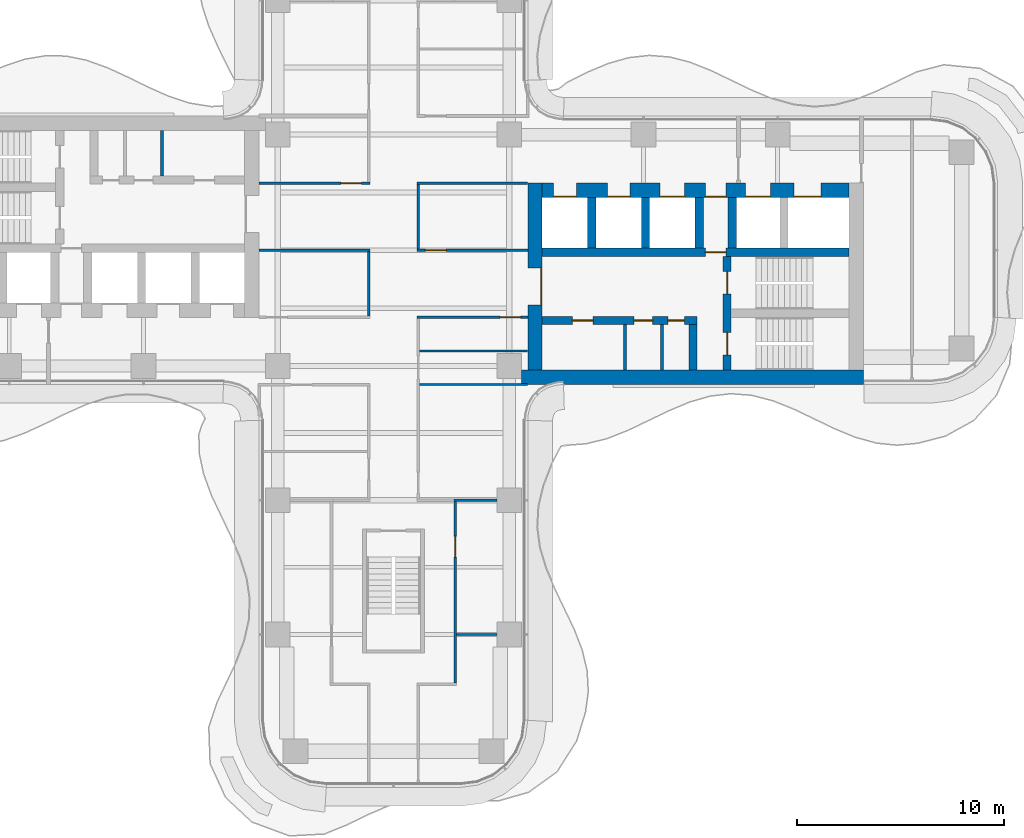
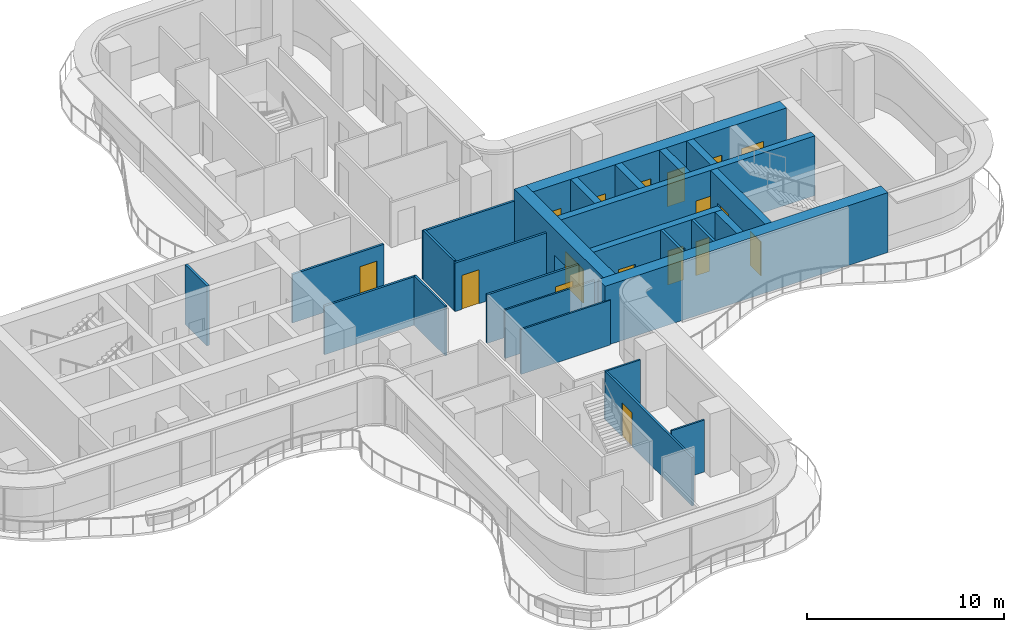
# One storey, part 13 of 17: 26 walls, 17 doors, 17 openings.
"""IFC4 building model written with IfcOpenShell, lengths in metres."""

from ifc_helpers import new_model, si_unit, direction, frame, frame_2d, origin, place, context, subcontext, project, spatial, rectangle, extrude, source, transform, mapped, material, layer, layer_set, type_object, element, fill, save


model = new_model("IFC4")

# Units and contexts
model_context = context("Model", 3, precision=1e-05, world=origin(), true_north=direction((0.0, 1.0)))
body_context = subcontext(model_context, "Body", "Model", "MODEL_VIEW")
ifc_project = project(units=[si_unit("LENGTHUNIT", "METRE"), si_unit("AREAUNIT", "SQUARE_METRE"), si_unit("VOLUMEUNIT", "CUBIC_METRE"), si_unit("PLANEANGLEUNIT", "RADIAN"), si_unit("MASSUNIT", "GRAM", prefix="KILO")], contexts=[model_context])

# Site, building, storey
site_placement = place(None, origin())
site = spatial("IfcSite", under=ifc_project, at=site_placement, CompositionType="ELEMENT")
building_placement = place(site_placement, origin())
building = spatial("IfcBuilding", under=site, at=building_placement, Name="Trellis Farm Tower", CompositionType="ELEMENT")
storey_placement = place(building_placement, frame((0.0, 0.0, 173.699951171875)))
storey = spatial("IfcBuildingStorey", under=building, at=storey_placement, Name="L37", CompositionType="ELEMENT", Elevation=173.699951171875)

# Wall, opening, door
ifc_material_1 = material(Name="Concrete C70/85", Category="concrete")
ifc_layer_1 = layer(ifc_material_1, 0.699951171875)
ifc_layer_set_1 = layer_set([ifc_layer_1], Name="CORE OUTER WALL 700 CONCRETE C70/85")
wall_type_1 = type_object("IfcWallType", Name="CORE OUTER WALL 700 CONCRETE C70/85", PredefinedType="SHEAR", material=ifc_layer_set_1)
shared_shape_1 = source(origin(), body_context, "Body", "SweptSolid", [
    extrude(rectangle(XDim=9.050048828125, YDim=0.699951171875, at=frame_2d((4.52490234375, 0.0))), origin(), (0.0, 0.0, 1.0), 3.699951171875),
])
wall_1_placement = place(storey_placement, frame((6.85009765625, -5.800048828125, 0.0), z_axis=(0.0, 0.0, 1.0), x_axis=(0.0, 1.0, 0.0)))
wall_1 = element("IfcWall", 1, at=wall_1_placement, inside=storey, type_object=wall_type_1, Name="Core wall", PredefinedType="SHEAR", context=body_context, shape_type="MappedRepresentation", body=[
    mapped(shared_shape_1, transform((0.0, 0.0, 0.0))),
])
shared_shape_2 = source(origin(), body_context, "Body", "SweptSolid", [
    extrude(rectangle(XDim=1.800048828125, YDim=2.10009765625, at=frame_2d((0.89990234375, 1.050048828125))), frame((0.0, 0.360107421875, 0.0), z_axis=(0.0, -1.0, 0.0), x_axis=(1.0, 0.0, 0.0)), (0.0, 0.0, 1.0), 0.72021484375),
])
opening_1_placement = place(wall_1_placement, frame((3.14990234375, 0.0, 0.0)))
opening_1 = element("IfcOpeningElement", 2, at=opening_1_placement, cuts=wall_1, Name="Opening DC1", PredefinedType="OPENING", context=body_context, shape_type="MappedRepresentation", body=[
    mapped(shared_shape_2, transform((0.0, 0.0, 0.0))),
])
ifc_material_2 = material(Name="Steel", Category="steel")
door_type_1 = type_object("IfcDoorType", Name="CORE FIRE DOOR DOUBLE 1800 X 2100", OperationType="DOUBLE_DOOR_SINGLE_SWING", PredefinedType="DOOR", material=ifc_material_2)
shared_shape_3 = source(origin(), body_context, "Body", "SweptSolid", [
    extrude(rectangle(XDim=1.800048828125, YDim=2.10009765625, at=frame_2d((0.89990234375, 1.050048828125))), frame((0.0, -0.27490234375, 0.0), z_axis=(0.0, -1.0, 0.0), x_axis=(1.0, 0.0, 0.0)), (0.0, 0.0, 1.0), 0.050048828125),
])
door_1_placement = place(opening_1_placement, origin())
door_1 = element("IfcDoor", 3, at=door_1_placement, inside=storey, type_object=door_type_1, Name="Core door", OperationType="DOUBLE_DOOR_SINGLE_SWING", OverallHeight=2.10009765625, OverallWidth=1.800048828125, PredefinedType="DOOR", context=body_context, shape_type="MappedRepresentation", body=[
    mapped(shared_shape_3, transform((0.0, 0.0, 0.0))),
])
fill(opening_1, door_1)

# Walls
ifc_layer_2 = layer(ifc_material_1, 0.39990234375)
ifc_layer_set_2 = layer_set([ifc_layer_2], Name="CORE INNER WALL 400 CONCRETE C70/85")
wall_type_2 = type_object("IfcWallType", Name="CORE INNER WALL 400 CONCRETE C70/85", PredefinedType="SHEAR", material=ifc_layer_set_2)
shared_shape_4 = source(origin(), body_context, "Body", "SweptSolid", [
    extrude(rectangle(XDim=2.449951171875, YDim=0.39990234375, at=frame_2d((1.22509765625, 0.0))), origin(), (0.0, 0.0, 1.0), 3.699951171875),
])
for number, where, z_axis, x_axis, name in (
    (4, (9.60009765625, 0.10009765625, 0.0), (0.0, 0.0, 1.0), (0.0, 1.0, 0.0), "Core wall"),
    (5, (12.199951171875, 0.10009765625, 0.0), (0.0, 0.0, 1.0), (0.0, 1.0, 0.0), "Core wall"),
    (6, (14.800048828125, 0.10009765625, 0.0), (0.0, 0.0, 1.0), (0.0, 1.0, 0.0), "Core wall"),
    (7, (16.39990234375, 0.10009765625, 0.0), (0.0, 0.0, 1.0), (0.0, 1.0, 0.0), "Core wall"),
):
    element("IfcWall", number, at=place(storey_placement, frame(where, z_axis=z_axis, x_axis=x_axis)), inside=storey, type_object=wall_type_2, Name=name, PredefinedType="SHEAR", context=body_context, shape_type="MappedRepresentation", body=[
        mapped(shared_shape_4, transform((0.0, 0.0, 0.0))),
    ])
shared_shape_5 = source(origin(), body_context, "Body", "SweptSolid", [
    extrude(rectangle(XDim=16.550048828125, YDim=0.699951171875, at=frame_2d((8.27490234375, 0.0))), origin(), (0.0, 0.0, 1.0), 3.699951171875),
])
wall_2_placement = place(storey_placement, frame((6.199951171875, -6.14990234375, 0.0), z_axis=(0.0, 0.0, 1.0), x_axis=(1.0, 0.0, 0.0)))
element("IfcWall", 8, at=wall_2_placement, inside=storey, type_object=wall_type_1, Name="Core wall", PredefinedType="SHEAR", context=body_context, shape_type="MappedRepresentation", body=[
    mapped(shared_shape_5, transform((0.0, 0.0, 0.0))),
])

# Wall, openings, doors
shared_shape_6 = source(origin(), body_context, "Body", "SweptSolid", [
    extrude(rectangle(XDim=14.85009765625, YDim=0.699951171875, at=frame_2d((7.425048828125, 0.0))), origin(), (0.0, 0.0, 1.0), 3.699951171875),
])
wall_3_placement = place(storey_placement, frame((7.199951171875, 2.89990234375, 0.0), z_axis=(0.0, 0.0, 1.0), x_axis=(1.0, 0.0, 0.0)))
wall_3 = element("IfcWall", 9, at=wall_3_placement, inside=storey, type_object=wall_type_1, Name="Core wall", PredefinedType="SHEAR", context=body_context, shape_type="MappedRepresentation", body=[
    mapped(shared_shape_6, transform((0.0, 0.0, 0.0))),
])
shared_shape_7 = source(origin(), body_context, "Body", "SweptSolid", [
    extrude(rectangle(XDim=1.10009765625, YDim=2.10009765625, at=frame_2d((0.550048828125, 1.050048828125))), frame((0.0, 0.360107421875, 0.0), z_axis=(0.0, -1.0, 0.0), x_axis=(1.0, 0.0, 0.0)), (0.0, 0.0, 1.0), 0.72021484375),
])
opening_2_placement = place(wall_3_placement, frame((0.550048828125, 0.0, 0.0)))
opening_2 = element("IfcOpeningElement", 10, at=opening_2_placement, cuts=wall_3, Name="Opening LD4", PredefinedType="OPENING", context=body_context, shape_type="MappedRepresentation", body=[
    mapped(shared_shape_7, transform((0.0, 0.0, 0.0))),
])
opening_3_placement = place(wall_3_placement, frame((3.14990234375, 0.0, 0.0)))
opening_3 = element("IfcOpeningElement", 11, at=opening_3_placement, cuts=wall_3, Name="Opening LD5", PredefinedType="OPENING", context=body_context, shape_type="MappedRepresentation", body=[
    mapped(shared_shape_7, transform((0.0, 0.0, 0.0))),
])
shared_shape_8 = source(origin(), body_context, "Body", "SweptSolid", [
    extrude(rectangle(XDim=1.199951171875, YDim=2.10009765625, at=frame_2d((0.60009765625, 1.050048828125))), frame((0.0, 0.360107421875, 0.0), z_axis=(0.0, -1.0, 0.0), x_axis=(1.0, 0.0, 0.0)), (0.0, 0.0, 1.0), 0.72021484375),
])
opening_4_placement = place(wall_3_placement, frame((5.699951171875, 0.0, 0.0)))
opening_4 = element("IfcOpeningElement", 12, at=opening_4_placement, cuts=wall_3, Name="Opening LD6", PredefinedType="OPENING", context=body_context, shape_type="MappedRepresentation", body=[
    mapped(shared_shape_8, transform((0.0, 0.0, 0.0))),
])
shared_shape_9 = source(origin(), body_context, "Body", "SweptSolid", [
    extrude(rectangle(XDim=1.300048828125, YDim=2.10009765625, at=frame_2d((0.64990234375, 1.050048828125))), frame((0.0, 0.360107421875, 0.0), z_axis=(0.0, -1.0, 0.0), x_axis=(1.0, 0.0, 0.0)), (0.0, 0.0, 1.0), 0.72021484375),
])
opening_5_placement = place(wall_3_placement, frame((12.199951171875, 0.0, 0.0)))
opening_5 = element("IfcOpeningElement", 13, at=opening_5_placement, cuts=wall_3, Name="Opening LD7", PredefinedType="OPENING", context=body_context, shape_type="MappedRepresentation", body=[
    mapped(shared_shape_9, transform((0.0, 0.0, 0.0))),
])
opening_6_placement = place(wall_3_placement, frame((9.85009765625, 0.0, 0.0)))
opening_6 = element("IfcOpeningElement", 14, at=opening_6_placement, cuts=wall_3, Name="Opening LD8", PredefinedType="OPENING", context=body_context, shape_type="MappedRepresentation", body=[
    mapped(shared_shape_8, transform((0.0, 0.0, 0.0))),
])
shared_shape_10 = source(origin(), body_context, "Body", "SweptSolid", [
    extrude(rectangle(XDim=1.0, YDim=2.10009765625, at=frame_2d((0.5, 1.050048828125))), frame((0.0, 0.360107421875, 0.0), z_axis=(0.0, -1.0, 0.0), x_axis=(1.0, 0.0, 0.0)), (0.0, 0.0, 1.0), 0.72021484375),
])
opening_7_placement = place(wall_3_placement, frame((7.89990234375, 0.0, 0.0)))
opening_7 = element("IfcOpeningElement", 15, at=opening_7_placement, cuts=wall_3, Name="Opening DC6", PredefinedType="OPENING", context=body_context, shape_type="MappedRepresentation", body=[
    mapped(shared_shape_10, transform((0.0, 0.0, 0.0))),
])
door_type_2 = type_object("IfcDoorType", Name="CORE FIRE DOOR 1000 X 2100", OperationType="NOTDEFINED", PredefinedType="DOOR", material=ifc_material_2)
shared_shape_11 = source(origin(), body_context, "Body", "SweptSolid", [
    extrude(rectangle(XDim=1.0, YDim=2.10009765625, at=frame_2d((0.5, 1.050048828125))), frame((0.0, -0.27490234375, 0.0), z_axis=(0.0, -1.0, 0.0), x_axis=(1.0, 0.0, 0.0)), (0.0, 0.0, 1.0), 0.050048828125),
])
door_2_placement = place(opening_7_placement, origin())
door_2 = element("IfcDoor", 16, at=door_2_placement, inside=storey, type_object=door_type_2, Name="Core door", OperationType="SINGLE_SWING_LEFT", OverallHeight=2.10009765625, OverallWidth=1.0, PredefinedType="DOOR", context=body_context, shape_type="MappedRepresentation", body=[
    mapped(shared_shape_11, transform((0.0, 0.0, 0.0))),
])
fill(opening_7, door_2)
ifc_material_3 = material(Name="Stainless steel", Category="steel")
door_type_3 = type_object("IfcDoorType", Name="LIFT LANDING DOOR 1300 X 2100", OperationType="DOUBLE_DOOR_SLIDING", PredefinedType="DOOR", material=ifc_material_3)
shared_shape_12 = source(origin(), body_context, "Body", "SweptSolid", [
    extrude(rectangle(XDim=1.300048828125, YDim=2.10009765625, at=frame_2d((0.64990234375, 1.050048828125))), frame((0.0, -0.27490234375, 0.0), z_axis=(0.0, -1.0, 0.0), x_axis=(1.0, 0.0, 0.0)), (0.0, 0.0, 1.0), 0.050048828125),
])
door_3_placement = place(opening_5_placement, origin())
door_3 = element("IfcDoor", 17, at=door_3_placement, inside=storey, type_object=door_type_3, Name="Lift landing door", OperationType="DOUBLE_DOOR_SLIDING", OverallHeight=2.10009765625, OverallWidth=1.300048828125, PredefinedType="DOOR", context=body_context, shape_type="MappedRepresentation", body=[
    mapped(shared_shape_12, transform((0.0, 0.0, 0.0))),
])
fill(opening_5, door_3)
door_type_4 = type_object("IfcDoorType", Name="LIFT LANDING DOOR 1200 X 2100", OperationType="DOUBLE_DOOR_SLIDING", PredefinedType="DOOR", material=ifc_material_3)
shared_shape_13 = source(origin(), body_context, "Body", "SweptSolid", [
    extrude(rectangle(XDim=1.199951171875, YDim=2.10009765625, at=frame_2d((0.60009765625, 1.050048828125))), frame((0.0, -0.27490234375, 0.0), z_axis=(0.0, -1.0, 0.0), x_axis=(1.0, 0.0, 0.0)), (0.0, 0.0, 1.0), 0.050048828125),
])
door_4_placement = place(opening_4_placement, origin())
door_4 = element("IfcDoor", 18, at=door_4_placement, inside=storey, type_object=door_type_4, Name="Lift landing door", OperationType="DOUBLE_DOOR_SLIDING", OverallHeight=2.10009765625, OverallWidth=1.199951171875, PredefinedType="DOOR", context=body_context, shape_type="MappedRepresentation", body=[
    mapped(shared_shape_13, transform((0.0, 0.0, 0.0))),
])
fill(opening_4, door_4)
door_5_placement = place(opening_6_placement, origin())
door_5 = element("IfcDoor", 19, at=door_5_placement, inside=storey, type_object=door_type_4, Name="Lift landing door", OperationType="DOUBLE_DOOR_SLIDING", OverallHeight=2.10009765625, OverallWidth=1.199951171875, PredefinedType="DOOR", context=body_context, shape_type="MappedRepresentation", body=[
    mapped(shared_shape_13, transform((0.0, 0.0, 0.0))),
])
fill(opening_6, door_5)
door_type_5 = type_object("IfcDoorType", Name="LIFT LANDING DOOR 1100 X 2100", OperationType="DOUBLE_DOOR_SLIDING", PredefinedType="DOOR", material=ifc_material_3)
shared_shape_14 = source(origin(), body_context, "Body", "SweptSolid", [
    extrude(rectangle(XDim=1.10009765625, YDim=2.10009765625, at=frame_2d((0.550048828125, 1.050048828125))), frame((0.0, -0.27490234375, 0.0), z_axis=(0.0, -1.0, 0.0), x_axis=(1.0, 0.0, 0.0)), (0.0, 0.0, 1.0), 0.050048828125),
])
door_6_placement = place(opening_2_placement, origin())
door_6 = element("IfcDoor", 20, at=door_6_placement, inside=storey, type_object=door_type_5, Name="Lift landing door", OperationType="DOUBLE_DOOR_SLIDING", OverallHeight=2.10009765625, OverallWidth=1.10009765625, PredefinedType="DOOR", context=body_context, shape_type="MappedRepresentation", body=[
    mapped(shared_shape_14, transform((0.0, 0.0, 0.0))),
])
fill(opening_2, door_6)
door_7_placement = place(opening_3_placement, origin())
door_7 = element("IfcDoor", 21, at=door_7_placement, inside=storey, type_object=door_type_5, Name="Lift landing door", OperationType="DOUBLE_DOOR_SLIDING", OverallHeight=2.10009765625, OverallWidth=1.10009765625, PredefinedType="DOOR", context=body_context, shape_type="MappedRepresentation", body=[
    mapped(shared_shape_14, transform((0.0, 0.0, 0.0))),
])
fill(opening_3, door_7)

shared_shape_15 = source(origin(), body_context, "Body", "SweptSolid", [
    extrude(rectangle(XDim=7.5, YDim=0.39990234375, at=frame_2d((3.75, 0.0))), origin(), (0.0, 0.0, 1.0), 3.699951171875),
])
wall_4_placement = place(storey_placement, frame((7.199951171875, -3.39990234375, 0.0), z_axis=(0.0, 0.0, 1.0), x_axis=(1.0, 0.0, 0.0)))
wall_4 = element("IfcWall", 22, at=wall_4_placement, inside=storey, type_object=wall_type_2, Name="Core wall", PredefinedType="SHEAR", context=body_context, shape_type="MappedRepresentation", body=[
    mapped(shared_shape_15, transform((0.0, 0.0, 0.0))),
])
shared_shape_16 = source(origin(), body_context, "Body", "SweptSolid", [
    extrude(rectangle(XDim=1.0, YDim=2.10009765625, at=frame_2d((0.5, 1.050048828125))), frame((0.0, 0.2099609375, 0.0), z_axis=(0.0, -1.0, 0.0), x_axis=(1.0, 0.0, 0.0)), (0.0, 0.0, 1.0), 0.419921875),
])
opening_8_placement = place(wall_4_placement, frame((1.46240234375, 0.0, 0.0)))
opening_8 = element("IfcOpeningElement", 23, at=opening_8_placement, cuts=wall_4, Name="Opening DC55", PredefinedType="OPENING", context=body_context, shape_type="MappedRepresentation", body=[
    mapped(shared_shape_16, transform((0.0, 0.0, 0.0))),
])
shared_shape_17 = source(origin(), body_context, "Body", "SweptSolid", [
    extrude(rectangle(XDim=0.89990234375, YDim=2.10009765625, at=frame_2d((0.449951171875, 1.050048828125))), frame((0.0, 0.2099609375, 0.0), z_axis=(0.0, -1.0, 0.0), x_axis=(1.0, 0.0, 0.0)), (0.0, 0.0, 1.0), 0.419921875),
])
opening_9_placement = place(wall_4_placement, frame((4.449951171875, 0.0, 0.0)))
opening_9 = element("IfcOpeningElement", 24, at=opening_9_placement, cuts=wall_4, Name="Opening DC60", PredefinedType="OPENING", context=body_context, shape_type="MappedRepresentation", body=[
    mapped(shared_shape_17, transform((0.0, 0.0, 0.0))),
])
shared_shape_18 = source(origin(), body_context, "Body", "SweptSolid", [
    extrude(rectangle(XDim=0.800048828125, YDim=2.10009765625, at=frame_2d((0.39990234375, 1.050048828125))), frame((0.0, 0.2099609375, 0.0), z_axis=(0.0, -1.0, 0.0), x_axis=(1.0, 0.0, 0.0)), (0.0, 0.0, 1.0), 0.419921875),
])
opening_10_placement = place(wall_4_placement, frame((6.08740234375, 0.0, 0.0)))
opening_10 = element("IfcOpeningElement", 25, at=opening_10_placement, cuts=wall_4, Name="Opening DC63", PredefinedType="OPENING", context=body_context, shape_type="MappedRepresentation", body=[
    mapped(shared_shape_18, transform((0.0, 0.0, 0.0))),
])
shared_shape_19 = source(origin(), body_context, "Body", "SweptSolid", [
    extrude(rectangle(XDim=1.0, YDim=2.10009765625, at=frame_2d((0.5, 1.050048828125))), frame((0.0, 0.02490234375, 0.0), z_axis=(0.0, -1.0, 0.0), x_axis=(1.0, 0.0, 0.0)), (0.0, 0.0, 1.0), 0.050048828125),
])
door_8_placement = place(opening_8_placement, origin())
door_8 = element("IfcDoor", 26, at=door_8_placement, inside=storey, type_object=door_type_2, Name="Core door", OperationType="SINGLE_SWING_LEFT", OverallHeight=2.10009765625, OverallWidth=1.0, PredefinedType="DOOR", context=body_context, shape_type="MappedRepresentation", body=[
    mapped(shared_shape_19, transform((0.0, 0.0, 0.0))),
])
fill(opening_8, door_8)
door_type_6 = type_object("IfcDoorType", Name="CORE FIRE DOOR 900 X 2100", OperationType="NOTDEFINED", PredefinedType="DOOR", material=ifc_material_2)
shared_shape_20 = source(origin(), body_context, "Body", "SweptSolid", [
    extrude(rectangle(XDim=0.89990234375, YDim=2.10009765625, at=frame_2d((0.449951171875, 1.050048828125))), frame((0.0, 0.02490234375, 0.0), z_axis=(0.0, -1.0, 0.0), x_axis=(1.0, 0.0, 0.0)), (0.0, 0.0, 1.0), 0.050048828125),
])
door_9_placement = place(opening_9_placement, origin())
door_9 = element("IfcDoor", 27, at=door_9_placement, inside=storey, type_object=door_type_6, Name="Core door", OperationType="SINGLE_SWING_RIGHT", OverallHeight=2.10009765625, OverallWidth=0.89990234375, PredefinedType="DOOR", context=body_context, shape_type="MappedRepresentation", body=[
    mapped(shared_shape_20, transform((0.0, 0.0, 0.0))),
])
fill(opening_9, door_9)
door_type_7 = type_object("IfcDoorType", Name="CORE FIRE DOOR 800 X 2100", OperationType="NOTDEFINED", PredefinedType="DOOR", material=ifc_material_2)
shared_shape_21 = source(origin(), body_context, "Body", "SweptSolid", [
    extrude(rectangle(XDim=0.800048828125, YDim=2.10009765625, at=frame_2d((0.39990234375, 1.050048828125))), frame((0.0, 0.02490234375, 0.0), z_axis=(0.0, -1.0, 0.0), x_axis=(1.0, 0.0, 0.0)), (0.0, 0.0, 1.0), 0.050048828125),
])
door_10_placement = place(opening_10_placement, origin())
door_10 = element("IfcDoor", 28, at=door_10_placement, inside=storey, type_object=door_type_7, Name="Core door", OperationType="SINGLE_SWING_LEFT", OverallHeight=2.10009765625, OverallWidth=0.800048828125, PredefinedType="DOOR", context=body_context, shape_type="MappedRepresentation", body=[
    mapped(shared_shape_21, transform((0.0, 0.0, 0.0))),
])
fill(opening_10, door_10)

# Wall, opening, door
shared_shape_22 = source(origin(), body_context, "Body", "SweptSolid", [
    extrude(rectangle(XDim=14.85009765625, YDim=0.39990234375, at=frame_2d((7.425048828125, 0.0))), origin(), (0.0, 0.0, 1.0), 3.699951171875),
])
wall_5_placement = place(storey_placement, frame((7.199951171875, -0.10009765625, 0.0), z_axis=(0.0, 0.0, 1.0), x_axis=(1.0, 0.0, 0.0)))
wall_5 = element("IfcWall", 29, at=wall_5_placement, inside=storey, type_object=wall_type_2, Name="Core wall", PredefinedType="SHEAR", context=body_context, shape_type="MappedRepresentation", body=[
    mapped(shared_shape_22, transform((0.0, 0.0, 0.0))),
])
opening_11_placement = place(wall_5_placement, frame((7.89990234375, 0.0, 0.0)))
opening_11 = element("IfcOpeningElement", 30, at=opening_11_placement, cuts=wall_5, Name="Opening DC5", PredefinedType="OPENING", context=body_context, shape_type="MappedRepresentation", body=[
    mapped(shared_shape_16, transform((0.0, 0.0, 0.0))),
])
door_11_placement = place(opening_11_placement, origin())
door_11 = element("IfcDoor", 31, at=door_11_placement, inside=storey, type_object=door_type_2, Name="Core door", OperationType="SINGLE_SWING_RIGHT", OverallHeight=2.10009765625, OverallWidth=1.0, PredefinedType="DOOR", context=body_context, shape_type="MappedRepresentation", body=[
    mapped(shared_shape_19, transform((0.0, 0.0, 0.0))),
])
fill(opening_11, door_11)

# Wall, openings, doors
shared_shape_23 = source(origin(), body_context, "Body", "SweptSolid", [
    extrude(rectangle(XDim=5.5, YDim=0.39990234375, at=frame_2d((2.75, 0.0))), origin(), (0.0, 0.0, 1.0), 3.699951171875),
])
wall_6_placement = place(storey_placement, frame((16.14990234375, -5.800048828125, 0.0), z_axis=(0.0, 0.0, 1.0), x_axis=(0.0, 1.0, 0.0)))
wall_6 = element("IfcWall", 32, at=wall_6_placement, inside=storey, type_object=wall_type_2, Name="Core wall", PredefinedType="SHEAR", context=body_context, shape_type="MappedRepresentation", body=[
    mapped(shared_shape_23, transform((0.0, 0.0, 0.0))),
])
shared_shape_24 = source(origin(), body_context, "Body", "SweptSolid", [
    extrude(rectangle(XDim=1.10009765625, YDim=2.10009765625, at=frame_2d((0.550048828125, 1.050048828125))), frame((0.0, 0.2099609375, 0.0), z_axis=(0.0, -1.0, 0.0), x_axis=(1.0, 0.0, 0.0)), (0.0, 0.0, 1.0), 0.419921875),
])
opening_12_placement = place(wall_6_placement, frame((0.72509765625, 0.0, 0.0)))
opening_12 = element("IfcOpeningElement", 33, at=opening_12_placement, cuts=wall_6, Name="Opening DC2", PredefinedType="OPENING", context=body_context, shape_type="MappedRepresentation", body=[
    mapped(shared_shape_24, transform((0.0, 0.0, 0.0))),
])
opening_13_placement = place(wall_6_placement, frame((3.675048828125, 0.0, 0.0)))
opening_13 = element("IfcOpeningElement", 34, at=opening_13_placement, cuts=wall_6, Name="Opening DC3", PredefinedType="OPENING", context=body_context, shape_type="MappedRepresentation", body=[
    mapped(shared_shape_24, transform((0.0, 0.0, 0.0))),
])
door_type_8 = type_object("IfcDoorType", Name="CORE FIRE DOOR 1100 X 2100", OperationType="NOTDEFINED", PredefinedType="DOOR", material=ifc_material_2)
shared_shape_25 = source(origin(), body_context, "Body", "SweptSolid", [
    extrude(rectangle(XDim=1.10009765625, YDim=2.10009765625, at=frame_2d((0.550048828125, 1.050048828125))), frame((0.0, 0.02490234375, 0.0), z_axis=(0.0, -1.0, 0.0), x_axis=(1.0, 0.0, 0.0)), (0.0, 0.0, 1.0), 0.050048828125),
])
door_12_placement = place(opening_12_placement, origin())
door_12 = element("IfcDoor", 35, at=door_12_placement, inside=storey, type_object=door_type_8, Name="Core door", OperationType="SINGLE_SWING_RIGHT", OverallHeight=2.10009765625, OverallWidth=1.10009765625, PredefinedType="DOOR", context=body_context, shape_type="MappedRepresentation", body=[
    mapped(shared_shape_25, transform((0.0, 0.0, 0.0))),
])
fill(opening_12, door_12)
door_13_placement = place(opening_13_placement, origin())
door_13 = element("IfcDoor", 36, at=door_13_placement, inside=storey, type_object=door_type_8, Name="Core door", OperationType="SINGLE_SWING_LEFT", OverallHeight=2.10009765625, OverallWidth=1.10009765625, PredefinedType="DOOR", context=body_context, shape_type="MappedRepresentation", body=[
    mapped(shared_shape_25, transform((0.0, 0.0, 0.0))),
])
fill(opening_13, door_13)

# Walls
shared_shape_26 = source(origin(), body_context, "Body", "SweptSolid", [
    extrude(rectangle(XDim=2.199951171875, YDim=0.39990234375, at=frame_2d((1.10009765625, 0.0))), origin(), (0.0, 0.0, 1.0), 3.699951171875),
])
wall_7_placement = place(storey_placement, frame((14.5, -5.800048828125, 0.0), z_axis=(0.0, 0.0, 1.0), x_axis=(0.0, 1.0, 0.0)))
element("IfcWall", 37, at=wall_7_placement, inside=storey, type_object=wall_type_2, Name="Core wall", PredefinedType="SHEAR", context=body_context, shape_type="MappedRepresentation", body=[
    mapped(shared_shape_26, transform((0.0, 0.0, 0.0))),
])
ifc_material_4 = material(Name="Masonry blockwork", Category="masonry")
ifc_layer_3 = layer(ifc_material_4, 0.14990234375)
ifc_layer_set_3 = layer_set([ifc_layer_3], Name="CORE PARTITION 150 BLOCKWORK")
wall_type_3 = type_object("IfcWallType", Name="CORE PARTITION 150 BLOCKWORK", PredefinedType="PARTITIONING", material=ifc_layer_set_3)
shared_shape_27 = source(origin(), body_context, "Body", "SweptSolid", [
    extrude(rectangle(XDim=2.199951171875, YDim=0.14990234375, at=frame_2d((1.10009765625, 0.0))), origin(), (0.0, 0.0, 1.0), 3.699951171875),
])
for number, where, z_axis, x_axis, name in (
    (38, (11.199951171875, -5.800048828125, 0.0), (0.0, 0.0, 1.0), (0.0, 1.0, 0.0), "Core room partition"),
    (39, (13.0, -5.800048828125, 0.0), (0.0, 0.0, 1.0), (0.0, 1.0, 0.0), "Core room partition"),
    (40, (-11.199951171875, 5.800048828125, 0.0), (0.0, 0.0, 1.0), (0.0, -1.0, 0.0), "Core room partition"),
):
    element("IfcWall", number, at=place(storey_placement, frame(where, z_axis=z_axis, x_axis=x_axis)), inside=storey, type_object=wall_type_3, Name=name, PredefinedType="PARTITIONING", context=body_context, shape_type="MappedRepresentation", body=[
        mapped(shared_shape_27, transform((0.0, 0.0, 0.0))),
    ])
ifc_material_5 = material(Name="Plasterboard on steel studs, mineral wool", Category="steel")
ifc_layer_4 = layer(ifc_material_5, 0.125)
ifc_layer_set_4 = layer_set([ifc_layer_4], Name="PARTITION 125 STUD EI 60")
wall_type_4 = type_object("IfcWallType", Name="PARTITION 125 STUD EI 60", PredefinedType="PARTITIONING", material=ifc_layer_set_4)
shared_shape_28 = source(origin(), body_context, "Body", "SweptSolid", [
    extrude(rectangle(XDim=3.125, YDim=0.125, at=frame_2d((1.5625, 0.0))), origin(), (0.0, 0.0, 1.0), 3.06787109375),
])
for number, where, z_axis, x_axis, name in (
    (41, (-1.199951171875, -0.0625, 0.0), (0.0, 0.0, 1.0), (0.0, -1.0, 0.0), "Partition PW1"),
    (42, (1.199951171875, 3.1875, 0.0), (0.0, 0.0, 1.0), (0.0, -1.0, 0.0), "Partition PW1"),
):
    element("IfcWall", number, at=place(storey_placement, frame(where, z_axis=z_axis, x_axis=x_axis)), inside=storey, type_object=wall_type_4, Name=name, PredefinedType="PARTITIONING", context=body_context, shape_type="MappedRepresentation", body=[
        mapped(shared_shape_28, transform((0.0, 0.0, 0.0))),
    ])

# Wall, opening, door
shared_shape_29 = source(origin(), body_context, "Body", "SweptSolid", [
    extrude(rectangle(XDim=5.362548828125, YDim=0.125, at=frame_2d((2.68115234375, 0.0))), origin(), (0.0, 0.0, 1.0), 2.99658203125),
])
wall_8_placement = place(storey_placement, frame((6.5, -3.25, 0.0), z_axis=(0.0, 0.0, 1.0), x_axis=(-1.0, 0.0, 0.0)))
wall_8 = element("IfcWall", 43, at=wall_8_placement, inside=storey, type_object=wall_type_4, Name="Partition PW1", PredefinedType="PARTITIONING", context=body_context, shape_type="MappedRepresentation", body=[
    mapped(shared_shape_29, transform((0.0, 0.0, 0.0))),
])
shared_shape_30 = source(origin(), body_context, "Body", "SweptSolid", [
    extrude(rectangle(XDim=1.0, YDim=2.10009765625, at=frame_2d((0.5, 1.050048828125))), frame((0.0, 0.072509765625, 0.0), z_axis=(0.0, -1.0, 0.0), x_axis=(1.0, 0.0, 0.0)), (0.0, 0.0, 1.0), 0.14501953125),
])
opening_14_placement = place(wall_8_placement, frame((0.35009765625, 0.0, 0.0)))
opening_14 = element("IfcOpeningElement", 44, at=opening_14_placement, cuts=wall_8, Name="Opening D110", PredefinedType="OPENING", context=body_context, shape_type="MappedRepresentation", body=[
    mapped(shared_shape_30, transform((0.0, 0.0, 0.0))),
])
ifc_material_6 = material(Name="Fire-rated timber door leaf in a hollow metal frame", Category="wood")
door_type_9 = type_object("IfcDoorType", Name="DOOR 1000x2100 FD30S", OperationType="NOTDEFINED", PredefinedType="DOOR", material=ifc_material_6)
door_14_placement = place(opening_14_placement, origin())
door_14 = element("IfcDoor", 45, at=door_14_placement, inside=storey, type_object=door_type_9, Name="Door D110", OperationType="SINGLE_SWING_LEFT", OverallHeight=2.10009765625, OverallWidth=1.0, PredefinedType="DOOR", context=body_context, shape_type="MappedRepresentation", body=[
    mapped(shared_shape_19, transform((0.0, 0.0, 0.0))),
])
fill(opening_14, door_14)

# Wall
wall_9_placement = place(storey_placement, frame((-1.137451171875, 0.0, 0.0), z_axis=(0.0, 0.0, 1.0), x_axis=(-1.0, 0.0, 0.0)))
element("IfcWall", 46, at=wall_9_placement, inside=storey, type_object=wall_type_4, Name="Partition PW1", PredefinedType="PARTITIONING", context=body_context, shape_type="MappedRepresentation", body=[
    mapped(shared_shape_29, transform((0.0, 0.0, 0.0))),
])

# Wall, opening, door
wall_10_placement = place(storey_placement, frame((6.5, 0.0, 0.0), z_axis=(0.0, 0.0, 1.0), x_axis=(-1.0, 0.0, 0.0)))
wall_10 = element("IfcWall", 47, at=wall_10_placement, inside=storey, type_object=wall_type_4, Name="Partition PW1", PredefinedType="PARTITIONING", context=body_context, shape_type="MappedRepresentation", body=[
    mapped(shared_shape_29, transform((0.0, 0.0, 0.0))),
])
opening_15_placement = place(wall_10_placement, frame((3.949951171875, 0.0, 0.0)))
opening_15 = element("IfcOpeningElement", 48, at=opening_15_placement, cuts=wall_10, Name="Opening D111", PredefinedType="OPENING", context=body_context, shape_type="MappedRepresentation", body=[
    mapped(shared_shape_30, transform((0.0, 0.0, 0.0))),
])
door_15_placement = place(opening_15_placement, origin())
door_15 = element("IfcDoor", 49, at=door_15_placement, inside=storey, type_object=door_type_9, Name="Door D111", OperationType="SINGLE_SWING_RIGHT", OverallHeight=2.10009765625, OverallWidth=1.0, PredefinedType="DOOR", context=body_context, shape_type="MappedRepresentation", body=[
    mapped(shared_shape_19, transform((0.0, 0.0, 0.0))),
])
fill(opening_15, door_15)

wall_11_placement = place(storey_placement, frame((-6.5, 3.25, 0.0), z_axis=(0.0, 0.0, 1.0), x_axis=(1.0, 0.0, 0.0)))
wall_11 = element("IfcWall", 50, at=wall_11_placement, inside=storey, type_object=wall_type_4, Name="Partition PW1", PredefinedType="PARTITIONING", context=body_context, shape_type="MappedRepresentation", body=[
    mapped(shared_shape_29, transform((0.0, 0.0, 0.0))),
])
opening_16_placement = place(wall_11_placement, frame((3.949951171875, 0.0, 0.0)))
opening_16 = element("IfcOpeningElement", 51, at=opening_16_placement, cuts=wall_11, Name="Opening D301", PredefinedType="OPENING", context=body_context, shape_type="MappedRepresentation", body=[
    mapped(shared_shape_30, transform((0.0, 0.0, 0.0))),
])
door_type_10 = type_object("IfcDoorType", Name="DOOR 1000x2100 FD60", OperationType="NOTDEFINED", PredefinedType="DOOR", material=ifc_material_6)
door_16_placement = place(opening_16_placement, origin())
door_16 = element("IfcDoor", 52, at=door_16_placement, inside=storey, type_object=door_type_10, Name="Door D301", OperationType="SINGLE_SWING_RIGHT", OverallHeight=2.10009765625, OverallWidth=1.0, PredefinedType="DOOR", context=body_context, shape_type="MappedRepresentation", body=[
    mapped(shared_shape_19, transform((0.0, 0.0, 0.0))),
])
fill(opening_16, door_16)

# Walls
wall_12_placement = place(storey_placement, frame((1.137451171875, 3.25, 0.0), z_axis=(0.0, 0.0, 1.0), x_axis=(1.0, 0.0, 0.0)))
element("IfcWall", 53, at=wall_12_placement, inside=storey, type_object=wall_type_4, Name="Partition PW1", PredefinedType="PARTITIONING", context=body_context, shape_type="MappedRepresentation", body=[
    mapped(shared_shape_29, transform((0.0, 0.0, 0.0))),
])
ifc_material_7 = material(Name="Plasterboard on steel studs", Category="steel")
ifc_layer_5 = layer(ifc_material_7, 0.10009765625)
ifc_layer_set_5 = layer_set([ifc_layer_5], Name="PARTITION 100 STUD EI 30")
wall_type_5 = type_object("IfcWallType", Name="PARTITION 100 STUD EI 30", PredefinedType="PARTITIONING", material=ifc_layer_set_5)
shared_shape_31 = source(origin(), body_context, "Body", "SweptSolid", [
    extrude(rectangle(XDim=2.0625, YDim=0.10009765625, at=frame_2d((1.03125, 0.0))), origin(), (0.0, 0.0, 1.0), 2.99658203125),
])
wall_13_placement = place(storey_placement, frame((2.9375, -12.10009765625, 0.0), z_axis=(0.0, 0.0, 1.0), x_axis=(1.0, 0.0, 0.0)))
element("IfcWall", 54, at=wall_13_placement, inside=storey, type_object=wall_type_5, Name="Partition PW2", PredefinedType="PARTITIONING", context=body_context, shape_type="MappedRepresentation", body=[
    mapped(shared_shape_31, transform((0.0, 0.0, 0.0))),
])
shared_shape_32 = source(origin(), body_context, "Body", "SweptSolid", [
    extrude(rectangle(XDim=5.237548828125, YDim=0.10009765625, at=frame_2d((2.61865234375, 0.0))), origin(), (0.0, 0.0, 1.0), 2.99658203125),
])
wall_14_placement = place(storey_placement, frame((1.262451171875, -4.875, 0.0), z_axis=(0.0, 0.0, 1.0), x_axis=(1.0, 0.0, 0.0)))
element("IfcWall", 55, at=wall_14_placement, inside=storey, type_object=wall_type_5, Name="Partition PW2", PredefinedType="PARTITIONING", context=body_context, shape_type="MappedRepresentation", body=[
    mapped(shared_shape_32, transform((0.0, 0.0, 0.0))),
])

# Wall, opening, door
shared_shape_33 = source(origin(), body_context, "Body", "SweptSolid", [
    extrude(rectangle(XDim=8.78759765625, YDim=0.125, at=frame_2d((4.393798828125, 0.0))), origin(), (0.0, 0.0, 1.0), 2.99658203125),
])
wall_15_placement = place(storey_placement, frame((3.0, -12.14990234375, 0.0), z_axis=(0.0, 0.0, 1.0), x_axis=(0.0, -1.0, 0.0)))
wall_15 = element("IfcWall", 56, at=wall_15_placement, inside=storey, type_object=wall_type_4, Name="Partition PW1", PredefinedType="PARTITIONING", context=body_context, shape_type="MappedRepresentation", body=[
    mapped(shared_shape_33, transform((0.0, 0.0, 0.0))),
])
opening_17_placement = place(wall_15_placement, frame((1.699951171875, 0.0, 0.0)))
opening_17 = element("IfcOpeningElement", 57, at=opening_17_placement, cuts=wall_15, Name="Opening D103", PredefinedType="OPENING", context=body_context, shape_type="MappedRepresentation", body=[
    mapped(shared_shape_30, transform((0.0, 0.0, 0.0))),
])
door_17_placement = place(opening_17_placement, origin())
door_17 = element("IfcDoor", 58, at=door_17_placement, inside=storey, type_object=door_type_9, Name="Door D103", OperationType="SINGLE_SWING_LEFT", OverallHeight=2.10009765625, OverallWidth=1.0, PredefinedType="DOOR", context=body_context, shape_type="MappedRepresentation", body=[
    mapped(shared_shape_19, transform((0.0, 0.0, 0.0))),
])
fill(opening_17, door_17)

# Walls
shared_shape_34 = source(origin(), body_context, "Body", "SweptSolid", [
    extrude(rectangle(XDim=1.9375, YDim=0.10009765625, at=frame_2d((0.96875, 0.0))), origin(), (0.0, 0.0, 1.0), 3.22314453125),
])
wall_16_placement = place(storey_placement, frame((3.0625, -18.60009765625, 0.0), z_axis=(0.0, 0.0, 1.0), x_axis=(1.0, 0.0, 0.0)))
element("IfcWall", 59, at=wall_16_placement, inside=storey, type_object=wall_type_5, Name="Partition PW2", PredefinedType="PARTITIONING", context=body_context, shape_type="MappedRepresentation", body=[
    mapped(shared_shape_34, transform((0.0, 0.0, 0.0))),
])
shared_shape_35 = source(origin(), body_context, "Body", "SweptSolid", [
    extrude(rectangle(XDim=5.237548828125, YDim=0.10009765625, at=frame_2d((2.61865234375, 0.0))), origin(), (0.0, 0.0, 1.0), 2.780029296875),
])
wall_17_placement = place(storey_placement, frame((1.262451171875, -6.5, 0.0), z_axis=(0.0, 0.0, 1.0), x_axis=(1.0, 0.0, 0.0)))
element("IfcWall", 60, at=wall_17_placement, inside=storey, type_object=wall_type_5, Name="Partition PW2", PredefinedType="PARTITIONING", context=body_context, shape_type="MappedRepresentation", body=[
    mapped(shared_shape_35, transform((0.0, 0.0, 0.0))),
])

save(model, "model.ifc")
